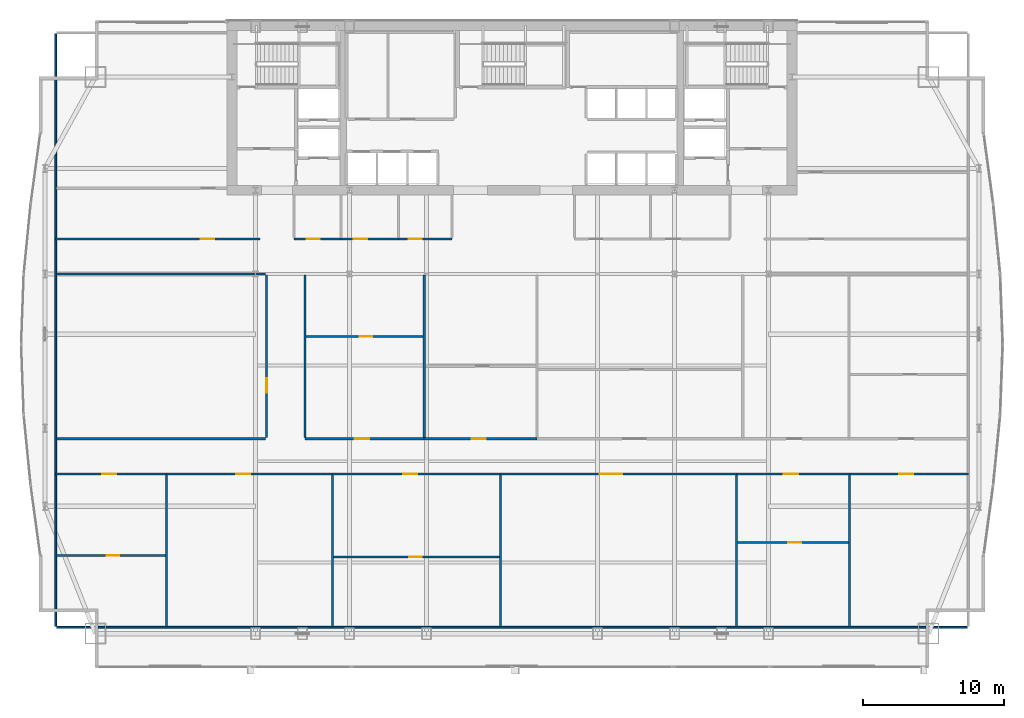
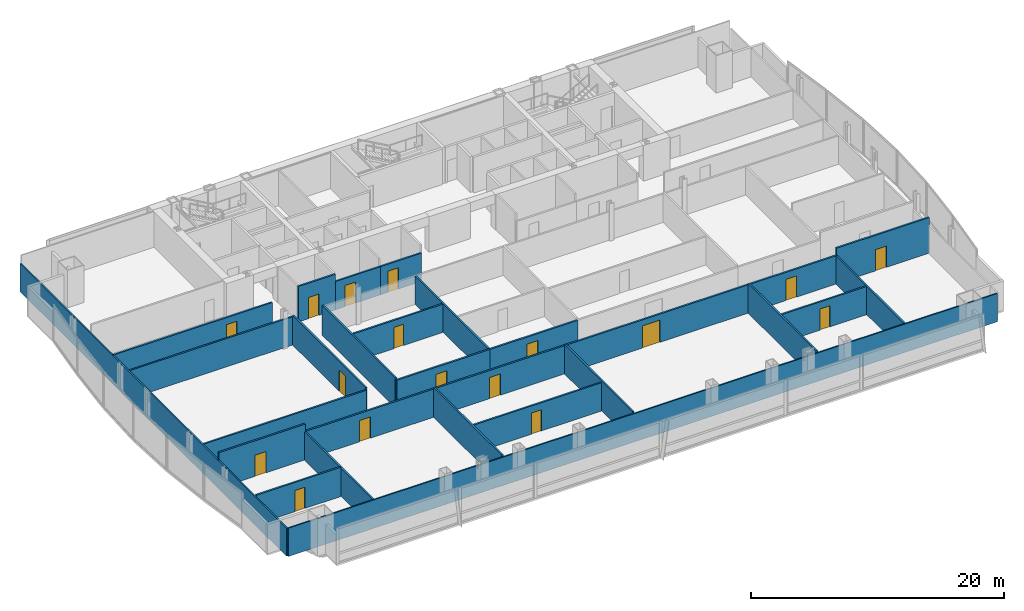
# One storey, part 26 of 32: 28 walls, 17 doors, 17 openings.
"""IFC4 building model written with IfcOpenShell, lengths in metres."""

from ifc_helpers import new_model, si_unit, direction, frame, frame_2d, origin, place, context, subcontext, project, spatial, rectangle, extrude, material, layer, layer_set, type_object, element, fill, save


model = new_model("IFC4")

# Units and contexts
model_context = context("Model", 3, precision=1e-05, world=origin(), true_north=direction((0.0, 1.0)))
body_context = subcontext(model_context, "Body", "Model", "MODEL_VIEW")
ifc_project = project(units=[si_unit("LENGTHUNIT", "METRE"), si_unit("AREAUNIT", "SQUARE_METRE"), si_unit("VOLUMEUNIT", "CUBIC_METRE"), si_unit("PLANEANGLEUNIT", "RADIAN"), si_unit("MASSUNIT", "GRAM", prefix="KILO")], contexts=[model_context])

# Site, building, storey
site_placement = place(None, origin())
site = spatial("IfcSite", under=ifc_project, at=site_placement, CompositionType="ELEMENT")
building_placement = place(site_placement, origin())
building = spatial("IfcBuilding", under=site, at=building_placement, Name="Khoronbel Lancet Exchange", CompositionType="ELEMENT")
storey_placement = place(building_placement, frame((0.0, 0.0, 125.39990234375)))
storey = spatial("IfcBuildingStorey", under=building, at=storey_placement, Name="L30", CompositionType="ELEMENT", Elevation=125.39990234375)

# Wall, opening, door
ifc_material_1 = material(Name="Acoustic Metal-Stud & Mineral-Wool Gypsum Partition 120 mm", Category="gypsum")
ifc_layer_1 = layer(ifc_material_1, 0.1201171875, Name="Acoustic Metal-Stud & Mineral-Wool Gypsum Partition 120 mm")
ifc_layer_set_1 = layer_set([ifc_layer_1], Name="Acoustic Metal-Stud & Mineral-Wool Gypsum Partition 120 mm")
wall_type_1 = type_object("IfcWallType", Name="WL-PRT120", PredefinedType="PARTITIONING", material=ifc_layer_set_1)
wall_1_placement = place(storey_placement, frame((4.094970703125, 15.7021484375, 0.0), z_axis=(0.0, 0.0, 1.0), x_axis=(1.0, 0.0, 0.0)))
wall_1 = element("IfcWall", 1, at=wall_1_placement, inside=storey, type_object=wall_type_1, Name="Level L30 interior partition PW-Z2S-H1", PredefinedType="PARTITIONING", context=body_context, shape_type="SweptSolid", body=[
    extrude(rectangle(XDim=7.739013671875, YDim=0.14990234375, at=frame_2d((3.86962890625, 0.0))), origin(), (0.0, 0.0, 1.0), 2.830078125),
])
opening_1_placement = place(wall_1_placement, frame((3.5478515625, 0.0, 0.0)))
opening_1 = element("IfcOpeningElement", 2, at=opening_1_placement, cuts=wall_1, Name="Opening D5", PredefinedType="OPENING", context=body_context, shape_type="SweptSolid", body=[
    extrude(rectangle(XDim=0.89990234375, YDim=2.050048828125, at=frame_2d((0.449951171875, 1.02490234375))), frame((0.0, 0.0849609375, 0.0), z_axis=(0.0, -1.0, 0.0), x_axis=(1.0, 0.0, 0.0)), (0.0, 0.0, 1.0), 0.169921875),
])
ifc_material_2 = material(Name="Acoustic Timber Pantry & Support Door", Category="wood")
door_type_1 = type_object("IfcDoorType", Name="DR-D5", OperationType="NOTDEFINED", PredefinedType="DOOR", material=ifc_material_2)
door_1_placement = place(opening_1_placement, origin())
door_1 = element("IfcDoor", 3, at=door_1_placement, inside=storey, type_object=door_type_1, Name="Z2S inner door 1 L30-1", OperationType="SINGLE_SWING_LEFT", OverallHeight=2.050048828125, OverallWidth=0.89990234375, PredefinedType="DOOR", context=body_context, shape_type="SweptSolid", body=[
    extrude(rectangle(XDim=0.89990234375, YDim=2.050048828125, at=frame_2d((0.449951171875, 1.02490234375))), frame((0.0, 0.02490234375, 0.0), z_axis=(0.0, -1.0, 0.0), x_axis=(1.0, 0.0, 0.0)), (0.0, 0.0, 1.0), 0.050048828125),
])
fill(opening_1, door_1)

wall_2_placement = place(storey_placement, frame((23.78076171875, 15.603271484375, 0.0), z_axis=(0.0, 0.0, 1.0), x_axis=(1.0, 0.0, 0.0)))
wall_2 = element("IfcWall", 4, at=wall_2_placement, inside=storey, type_object=wall_type_1, Name="Level L30 interior partition PW-Z2S-H3", PredefinedType="PARTITIONING", context=body_context, shape_type="SweptSolid", body=[
    extrude(rectangle(XDim=11.783935546875, YDim=0.14990234375, at=frame_2d((5.89208984375, 0.0))), origin(), (0.0, 0.0, 1.0), 2.72998046875),
])
opening_2_placement = place(wall_2_placement, frame((5.374755859375, 0.0, 0.0)))
opening_2 = element("IfcOpeningElement", 5, at=opening_2_placement, cuts=wall_2, Name="Opening D5", PredefinedType="OPENING", context=body_context, shape_type="SweptSolid", body=[
    extrude(rectangle(XDim=0.89990234375, YDim=2.050048828125, at=frame_2d((0.449951171875, 1.02490234375))), frame((0.0, 0.0849609375, 0.0), z_axis=(0.0, -1.0, 0.0), x_axis=(1.0, 0.0, 0.0)), (0.0, 0.0, 1.0), 0.169921875),
])
door_2_placement = place(opening_2_placement, origin())
door_2 = element("IfcDoor", 6, at=door_2_placement, inside=storey, type_object=door_type_1, Name="Z2S inner door 3 L30-1", OperationType="SINGLE_SWING_RIGHT", OverallHeight=2.050048828125, OverallWidth=0.89990234375, PredefinedType="DOOR", context=body_context, shape_type="SweptSolid", body=[
    extrude(rectangle(XDim=0.89990234375, YDim=2.050048828125, at=frame_2d((0.449951171875, 1.02490234375))), frame((0.0, 0.02490234375, 0.0), z_axis=(0.0, -1.0, 0.0), x_axis=(1.0, 0.0, 0.0)), (0.0, 0.0, 1.0), 0.050048828125),
])
fill(opening_2, door_2)

wall_3_placement = place(storey_placement, frame((52.48779296875, 16.61865234375, 0.0), z_axis=(0.0, 0.0, 1.0), x_axis=(1.0, 0.0, 0.0)))
wall_3 = element("IfcWall", 7, at=wall_3_placement, inside=storey, type_object=wall_type_1, Name="Level L30 interior partition PW-Z2S-H5", PredefinedType="PARTITIONING", context=body_context, shape_type="SweptSolid", body=[
    extrude(rectangle(XDim=7.855224609375, YDim=0.14990234375, at=frame_2d((3.927734375, 0.0))), origin(), (0.0, 0.0, 1.0), 2.72998046875),
])
opening_3_placement = place(wall_3_placement, frame((3.606689453125, 0.0, 0.0)))
opening_3 = element("IfcOpeningElement", 8, at=opening_3_placement, cuts=wall_3, Name="Opening D5", PredefinedType="OPENING", context=body_context, shape_type="SweptSolid", body=[
    extrude(rectangle(XDim=0.89990234375, YDim=2.050048828125, at=frame_2d((0.449951171875, 1.02490234375))), frame((0.0, 0.0849609375, 0.0), z_axis=(0.0, -1.0, 0.0), x_axis=(1.0, 0.0, 0.0)), (0.0, 0.0, 1.0), 0.169921875),
])
door_3_placement = place(opening_3_placement, origin())
door_3 = element("IfcDoor", 9, at=door_3_placement, inside=storey, type_object=door_type_1, Name="Z2S inner door 5 L30-1", OperationType="SINGLE_SWING_RIGHT", OverallHeight=2.050048828125, OverallWidth=0.89990234375, PredefinedType="DOOR", context=body_context, shape_type="SweptSolid", body=[
    extrude(rectangle(XDim=0.89990234375, YDim=2.050048828125, at=frame_2d((0.449951171875, 1.02490234375))), frame((0.0, 0.02490234375, 0.0), z_axis=(0.0, -1.0, 0.0), x_axis=(1.0, 0.0, 0.0)), (0.0, 0.0, 1.0), 0.050048828125),
])
fill(opening_3, door_3)

wall_4_placement = place(storey_placement, frame((21.81005859375, 31.25390625, 0.0), z_axis=(0.0, 0.0, 1.0), x_axis=(1.0, 0.0, 0.0)))
wall_4 = element("IfcWall", 10, at=wall_4_placement, inside=storey, type_object=wall_type_1, Name="Level L30 interior partition PW-Z2N-H1", PredefinedType="PARTITIONING", context=body_context, shape_type="SweptSolid", body=[
    extrude(rectangle(XDim=8.3251953125, YDim=0.14990234375, at=frame_2d((4.16259765625, 0.0))), origin(), (0.0, 0.0, 1.0), 2.72998046875),
])
opening_4_placement = place(wall_4_placement, frame((3.818359375, 0.0, 0.0)))
opening_4 = element("IfcOpeningElement", 11, at=opening_4_placement, cuts=wall_4, Name="Opening D5", PredefinedType="OPENING", context=body_context, shape_type="SweptSolid", body=[
    extrude(rectangle(XDim=0.89990234375, YDim=2.050048828125, at=frame_2d((0.449951171875, 1.02490234375))), frame((0.0, 0.0849609375, 0.0), z_axis=(0.0, -1.0, 0.0), x_axis=(1.0, 0.0, 0.0)), (0.0, 0.0, 1.0), 0.169921875),
])
door_4_placement = place(opening_4_placement, origin())
door_4 = element("IfcDoor", 12, at=door_4_placement, inside=storey, type_object=door_type_1, Name="Z2N inner door 1 L30-1", OperationType="SINGLE_SWING_RIGHT", OverallHeight=2.050048828125, OverallWidth=0.89990234375, PredefinedType="DOOR", context=body_context, shape_type="SweptSolid", body=[
    extrude(rectangle(XDim=0.89990234375, YDim=2.050048828125, at=frame_2d((0.449951171875, 1.02490234375))), frame((0.0, 0.02490234375, 0.0), z_axis=(0.0, -1.0, 0.0), x_axis=(1.0, 0.0, 0.0)), (0.0, 0.0, 1.0), 0.050048828125),
])
fill(opening_4, door_4)

# Walls
wall_5_placement = place(storey_placement, frame((4.030029296875, 10.6650390625, 0.0), z_axis=(0.0, 0.0, 1.0), x_axis=(0.0, 1.0, 0.0)))
element("IfcWall", 13, at=wall_5_placement, inside=storey, type_object=wall_type_1, Name="Level L30 interior partition PW-LIN-W", PredefinedType="PARTITIONING", context=body_context, shape_type="SweptSolid", body=[
    extrude(rectangle(XDim=42.10986328125, YDim=0.1201171875, at=frame_2d((21.054931640625, 0.0))), origin(), (0.0, 0.0, 1.0), 2.72998046875),
])
wall_6_placement = place(storey_placement, frame((4.094970703125, 10.60009765625, 0.0), z_axis=(0.0, 0.0, 1.0), x_axis=(1.0, 0.0, 0.0)))
element("IfcWall", 14, at=wall_6_placement, inside=storey, type_object=wall_type_1, Name="Level L30 interior partition PW-LIN-S", PredefinedType="PARTITIONING", context=body_context, shape_type="SweptSolid", body=[
    extrude(rectangle(XDim=64.7099609375, YDim=0.1201171875, at=frame_2d((32.35498046875, 0.0))), origin(), (0.0, 0.0, 1.0), 2.72998046875),
])

# Wall, opening, door
ifc_material_3 = material(Name="Fire-Rated Twin-Stud Acoustic Gypsum Partition 150 mm", Category="gypsum")
ifc_layer_2 = layer(ifc_material_3, 0.14990234375, Name="Fire-Rated Twin-Stud Acoustic Gypsum Partition 150 mm")
ifc_layer_set_2 = layer_set([ifc_layer_2], Name="Fire-Rated Twin-Stud Acoustic Gypsum Partition 150 mm")
wall_type_2 = type_object("IfcWallType", Name="WL-PRT150C", PredefinedType="PARTITIONING", material=ifc_layer_set_2)
wall_7_placement = place(storey_placement, frame((20.949951171875, 38.199951171875, 0.0), z_axis=(0.0, 0.0, 1.0), x_axis=(1.0, 0.0, 0.0)))
wall_7 = element("IfcWall", 15, at=wall_7_placement, inside=storey, type_object=wall_type_2, Name="Level L30 interior partition PW-WC-S1", PredefinedType="PARTITIONING", context=body_context, shape_type="SweptSolid", body=[
    extrude(rectangle(XDim=3.35009765625, YDim=0.14990234375, at=frame_2d((1.675048828125, 0.0))), origin(), (0.0, 0.0, 1.0), 3.440185546875),
])
opening_5_placement = place(wall_7_placement, frame((0.89990234375, 0.0, 0.0)))
opening_5 = element("IfcOpeningElement", 16, at=opening_5_placement, cuts=wall_7, Name="Opening D4", PredefinedType="OPENING", context=body_context, shape_type="SweptSolid", body=[
    extrude(rectangle(XDim=0.949951171875, YDim=2.050048828125, at=frame_2d((0.47509765625, 1.02490234375))), frame((0.0, 0.0849609375, 0.0), z_axis=(0.0, -1.0, 0.0), x_axis=(1.0, 0.0, 0.0)), (0.0, 0.0, 1.0), 0.169921875),
])
ifc_material_4 = material(Name="Moisture-Resistant HPL Washroom Door", Category="wood")
door_type_2 = type_object("IfcDoorType", Name="DR-D4", OperationType="NOTDEFINED", PredefinedType="DOOR", material=ifc_material_4)
door_5_placement = place(opening_5_placement, origin())
door_5 = element("IfcDoor", 17, at=door_5_placement, inside=storey, type_object=door_type_2, Name="Male washroom door L30-1", OperationType="SINGLE_SWING_LEFT", OverallHeight=2.050048828125, OverallWidth=0.949951171875, PredefinedType="DOOR", context=body_context, shape_type="SweptSolid", body=[
    extrude(rectangle(XDim=0.949951171875, YDim=2.050048828125, at=frame_2d((0.47509765625, 1.02490234375))), frame((0.0, 0.02490234375, 0.0), z_axis=(0.0, -1.0, 0.0), x_axis=(1.0, 0.0, 0.0)), (0.0, 0.0, 1.0), 0.050048828125),
])
fill(opening_5, door_5)

wall_8_placement = place(storey_placement, frame((24.300048828125, 38.199951171875, 0.0), z_axis=(0.0, 0.0, 1.0), x_axis=(1.0, 0.0, 0.0)))
wall_8 = element("IfcWall", 18, at=wall_8_placement, inside=storey, type_object=wall_type_2, Name="Level L30 interior partition PW-WC-S2", PredefinedType="PARTITIONING", context=body_context, shape_type="SweptSolid", body=[
    extrude(rectangle(XDim=4.099853515625, YDim=0.14990234375, at=frame_2d((2.0498046875, 0.0))), origin(), (0.0, 0.0, 1.0), 2.72998046875),
])
opening_6_placement = place(wall_8_placement, frame((0.89990234375, 0.0, 0.0)))
opening_6 = element("IfcOpeningElement", 19, at=opening_6_placement, cuts=wall_8, Name="Opening D4", PredefinedType="OPENING", context=body_context, shape_type="SweptSolid", body=[
    extrude(rectangle(XDim=0.949951171875, YDim=2.050048828125, at=frame_2d((0.47509765625, 1.02490234375))), frame((0.0, 0.0849609375, 0.0), z_axis=(0.0, -1.0, 0.0), x_axis=(1.0, 0.0, 0.0)), (0.0, 0.0, 1.0), 0.169921875),
])
door_6_placement = place(opening_6_placement, origin())
door_6 = element("IfcDoor", 20, at=door_6_placement, inside=storey, type_object=door_type_2, Name="Female washroom door L30-1", OperationType="SINGLE_SWING_RIGHT", OverallHeight=2.050048828125, OverallWidth=0.949951171875, PredefinedType="DOOR", context=body_context, shape_type="SweptSolid", body=[
    extrude(rectangle(XDim=0.949951171875, YDim=2.050048828125, at=frame_2d((0.47509765625, 1.02490234375))), frame((0.0, 0.02490234375, 0.0), z_axis=(0.0, -1.0, 0.0), x_axis=(1.0, 0.0, 0.0)), (0.0, 0.0, 1.0), 0.050048828125),
])
fill(opening_6, door_6)

wall_9_placement = place(storey_placement, frame((28.39990234375, 38.199951171875, 0.0), z_axis=(0.0, 0.0, 1.0), x_axis=(1.0, 0.0, 0.0)))
wall_9 = element("IfcWall", 21, at=wall_9_placement, inside=storey, type_object=wall_type_2, Name="Level L30 interior partition PW-WC-S3", PredefinedType="PARTITIONING", context=body_context, shape_type="SweptSolid", body=[
    extrude(rectangle(XDim=3.780029296875, YDim=0.14990234375, at=frame_2d((1.89013671875, 0.0))), origin(), (0.0, 0.0, 1.0), 2.72998046875),
])
opening_7_placement = place(wall_9_placement, frame((0.699951171875, 0.0, 0.0)))
opening_7 = element("IfcOpeningElement", 22, at=opening_7_placement, cuts=wall_9, Name="Opening D4", PredefinedType="OPENING", context=body_context, shape_type="SweptSolid", body=[
    extrude(rectangle(XDim=0.949951171875, YDim=2.050048828125, at=frame_2d((0.47509765625, 1.02490234375))), frame((0.0, 0.0849609375, 0.0), z_axis=(0.0, -1.0, 0.0), x_axis=(1.0, 0.0, 0.0)), (0.0, 0.0, 1.0), 0.169921875),
])
door_7_placement = place(opening_7_placement, origin())
door_7 = element("IfcDoor", 23, at=door_7_placement, inside=storey, type_object=door_type_2, Name="Accessible WC door L30-1", OperationType="SINGLE_SWING_LEFT", OverallHeight=2.050048828125, OverallWidth=0.949951171875, PredefinedType="DOOR", context=body_context, shape_type="SweptSolid", body=[
    extrude(rectangle(XDim=0.949951171875, YDim=2.050048828125, at=frame_2d((0.47509765625, 1.02490234375))), frame((0.0, 0.02490234375, 0.0), z_axis=(0.0, -1.0, 0.0), x_axis=(1.0, 0.0, 0.0)), (0.0, 0.0, 1.0), 0.050048828125),
])
fill(opening_7, door_7)

wall_10_placement = place(storey_placement, frame((4.030029296875, 38.199951171875, 0.0), z_axis=(0.0, 0.0, 1.0), x_axis=(1.0, 0.0, 0.0)))
wall_10 = element("IfcWall", 24, at=wall_10_placement, inside=storey, type_object=wall_type_2, Name="Level L30 interior partition PW-NW-S", PredefinedType="PARTITIONING", context=body_context, shape_type="SweptSolid", body=[
    extrude(rectangle(XDim=14.52001953125, YDim=0.14990234375, at=frame_2d((7.260009765625, 0.0))), origin(), (0.0, 0.0, 1.0), 2.72998046875),
])
opening_8_placement = place(wall_10_placement, frame((10.320068359375, 0.0, 0.0)))
opening_8 = element("IfcOpeningElement", 25, at=opening_8_placement, cuts=wall_10, Name="Opening D1", PredefinedType="OPENING", context=body_context, shape_type="SweptSolid", body=[
    extrude(rectangle(XDim=0.949951171875, YDim=2.050048828125, at=frame_2d((0.47509765625, 1.02490234375))), frame((0.0, 0.0849609375, 0.0), z_axis=(0.0, -1.0, 0.0), x_axis=(1.0, 0.0, 0.0)), (0.0, 0.0, 1.0), 0.169921875),
])
ifc_material_5 = material(Name="Acoustic Veneered Timber & Bronze Frame Door", Category="wood")
door_type_3 = type_object("IfcDoorType", Name="DR-D1", OperationType="NOTDEFINED", PredefinedType="DOOR", material=ifc_material_5)
door_8_placement = place(opening_8_placement, origin())
door_8 = element("IfcDoor", 26, at=door_8_placement, inside=storey, type_object=door_type_3, Name="NW corner room door L30-1", OperationType="SINGLE_SWING_RIGHT", OverallHeight=2.050048828125, OverallWidth=0.949951171875, PredefinedType="DOOR", context=body_context, shape_type="SweptSolid", body=[
    extrude(rectangle(XDim=0.949951171875, YDim=2.050048828125, at=frame_2d((0.47509765625, 1.02490234375))), frame((0.0, 0.02490234375, 0.0), z_axis=(0.0, -1.0, 0.0), x_axis=(1.0, 0.0, 0.0)), (0.0, 0.0, 1.0), 0.050048828125),
])
fill(opening_8, door_8)

# Walls
wall_11_placement = place(storey_placement, frame((11.9140625, 10.6650390625, 0.0), z_axis=(0.0, 0.0, 1.0), x_axis=(0.0, 1.0, 0.0)))
element("IfcWall", 27, at=wall_11_placement, inside=storey, type_object=wall_type_2, Name="Level L30 interior partition PW-Z2S-V1", PredefinedType="PARTITIONING", context=body_context, shape_type="SweptSolid", body=[
    extrude(rectangle(XDim=10.75, YDim=0.14990234375, at=frame_2d((5.375, 0.0))), origin(), (0.0, 0.0, 1.0), 2.72998046875),
])
for number, where, z_axis, x_axis, name in (
    (28, (23.70068359375, 10.6650390625, 0.0), (0.0, 0.0, 1.0), (0.0, 1.0, 0.0), "Level L30 interior partition PW-Z2S-V2"),
    (29, (35.64453125, 10.6650390625, 0.0), (0.0, 0.0, 1.0), (0.0, 1.0, 0.0), "Level L30 interior partition PW-Z2S-V3"),
    (30, (52.407958984375, 10.6650390625, 0.0), (0.0, 0.0, 1.0), (0.0, 1.0, 0.0), "Level L30 interior partition PW-Z2S-V4"),
):
    element("IfcWall", number, at=place(storey_placement, frame(where, z_axis=z_axis, x_axis=x_axis)), inside=storey, type_object=wall_type_2, Name=name, PredefinedType="PARTITIONING", context=body_context, shape_type="SweptSolid", body=[
        extrude(rectangle(XDim=10.75, YDim=0.14990234375, at=frame_2d((5.375, 0.0))), origin(), (0.0, 0.0, 1.0), 2.880126953125),
    ])
wall_12_placement = place(storey_placement, frame((60.4228515625, 10.6650390625, 0.0), z_axis=(0.0, 0.0, 1.0), x_axis=(0.0, 1.0, 0.0)))
element("IfcWall", 31, at=wall_12_placement, inside=storey, type_object=wall_type_2, Name="Level L30 interior partition PW-Z2S-V5", PredefinedType="PARTITIONING", context=body_context, shape_type="SweptSolid", body=[
    extrude(rectangle(XDim=10.75, YDim=0.14990234375, at=frame_2d((5.375, 0.0))), origin(), (0.0, 0.0, 1.0), 2.72998046875),
])

# Wall, opening, door
wall_13_placement = place(storey_placement, frame((19.02001953125, 24.080078125, 0.0), z_axis=(0.0, 0.0, 1.0), x_axis=(0.0, 1.0, 0.0)))
wall_13 = element("IfcWall", 32, at=wall_13_placement, inside=storey, type_object=wall_type_2, Name="Level L30 interior partition PW-Z2-WLK", PredefinedType="PARTITIONING", context=body_context, shape_type="SweptSolid", body=[
    extrude(rectangle(XDim=11.5400390625, YDim=0.14990234375, at=frame_2d((5.77001953125, 0.0))), origin(), (0.0, 0.0, 1.0), 2.880126953125),
])
opening_9_placement = place(wall_13_placement, frame((3.199951171875, 0.0, 0.0)))
opening_9 = element("IfcOpeningElement", 33, at=opening_9_placement, cuts=wall_13, Name="Opening D2", PredefinedType="OPENING", context=body_context, shape_type="SweptSolid", body=[
    extrude(rectangle(XDim=1.0, YDim=2.050048828125, at=frame_2d((0.5, 1.02490234375))), frame((0.0, 0.0849609375, 0.0), z_axis=(0.0, -1.0, 0.0), x_axis=(1.0, 0.0, 0.0)), (0.0, 0.0, 1.0), 0.169921875),
])
door_type_4 = type_object("IfcDoorType", Name="DR-D2", OperationType="NOTDEFINED", PredefinedType="DOOR", material=ifc_material_5)
door_9_placement = place(opening_9_placement, origin())
door_9 = element("IfcDoor", 34, at=door_9_placement, inside=storey, type_object=door_type_4, Name="West mid-band room door L30-1", OperationType="SINGLE_SWING_RIGHT", OverallHeight=2.050048828125, OverallWidth=1.0, PredefinedType="DOOR", context=body_context, shape_type="SweptSolid", body=[
    extrude(rectangle(XDim=1.0, YDim=2.050048828125, at=frame_2d((0.5, 1.02490234375))), frame((0.0, 0.02490234375, 0.0), z_axis=(0.0, -1.0, 0.0), x_axis=(1.0, 0.0, 0.0)), (0.0, 0.0, 1.0), 0.050048828125),
])
fill(opening_9, door_9)

# Walls
for number, where, z_axis, x_axis, name in (
    (35, (4.094970703125, 24.0, 0.0), (0.0, 0.0, 1.0), (1.0, 0.0, 0.0), "Level L30 interior partition PW-Z2-WS"),
    (36, (4.094970703125, 35.699951171875, 0.0), (0.0, 0.0, 1.0), (1.0, 0.0, 0.0), "Level L30 interior partition PW-Z2-WN"),
):
    element("IfcWall", number, at=place(storey_placement, frame(where, z_axis=z_axis, x_axis=x_axis)), inside=storey, type_object=wall_type_2, Name=name, PredefinedType="PARTITIONING", context=body_context, shape_type="SweptSolid", body=[
        extrude(rectangle(XDim=14.844970703125, YDim=0.14990234375, at=frame_2d((7.42236328125, 0.0))), origin(), (0.0, 0.0, 1.0), 2.72998046875),
    ])
wall_14_placement = place(storey_placement, frame((21.72998046875, 24.0849609375, 0.0), z_axis=(0.0, 0.0, 1.0), x_axis=(0.0, 1.0, 0.0)))
element("IfcWall", 37, at=wall_14_placement, inside=storey, type_object=wall_type_2, Name="Level L30 interior partition PW-Z2-ELK", PredefinedType="PARTITIONING", context=body_context, shape_type="SweptSolid", body=[
    extrude(rectangle(XDim=11.53515625, YDim=0.14990234375, at=frame_2d((5.767578125, 0.0))), origin(), (0.0, 0.0, 1.0), 2.880126953125),
])
wall_15_placement = place(storey_placement, frame((30.215087890625, 24.0849609375, 0.0), z_axis=(0.0, 0.0, 1.0), x_axis=(0.0, 1.0, 0.0)))
element("IfcWall", 38, at=wall_15_placement, inside=storey, type_object=wall_type_2, Name="Level L30 interior partition PW-Z2N-V1", PredefinedType="PARTITIONING", context=body_context, shape_type="SweptSolid", body=[
    extrude(rectangle(XDim=11.53515625, YDim=0.14990234375, at=frame_2d((5.767578125, 0.0))), origin(), (0.0, 0.0, 1.0), 2.72998046875),
])

# Wall, opening, door
ifc_material_6 = material(Name="Fire-Rated Twin-Stud Acoustic Gypsum Partition 160 mm", Category="gypsum")
ifc_layer_3 = layer(ifc_material_6, 0.159912109375, Name="Fire-Rated Twin-Stud Acoustic Gypsum Partition 160 mm")
ifc_layer_set_3 = layer_set([ifc_layer_3], Name="Fire-Rated Twin-Stud Acoustic Gypsum Partition 160 mm")
wall_type_3 = type_object("IfcWallType", Name="WL-PRT160C", PredefinedType="PARTITIONING", material=ifc_layer_set_3)
wall_16_placement = place(storey_placement, frame((4.030029296875, 21.5, 0.0), z_axis=(0.0, 0.0, 1.0), x_axis=(1.0, 0.0, 0.0)))
wall_16 = element("IfcWall", 39, at=wall_16_placement, inside=storey, type_object=wall_type_3, Name="Level L30 interior partition PW-Z2S-COR1", PredefinedType="PARTITIONING", context=body_context, shape_type="SweptSolid", body=[
    extrude(rectangle(XDim=7.884033203125, YDim=0.159912109375, at=frame_2d((3.94189453125, 0.0))), origin(), (0.0, 0.0, 1.0), 3.440185546875),
])
opening_10_placement = place(wall_16_placement, frame((3.311279296875, 0.0, 0.0)))
opening_10 = element("IfcOpeningElement", 40, at=opening_10_placement, cuts=wall_16, Name="Opening D2", PredefinedType="OPENING", context=body_context, shape_type="SweptSolid", body=[
    extrude(rectangle(XDim=1.0, YDim=2.050048828125, at=frame_2d((0.5, 1.02490234375))), frame((0.0, 0.08984375, 0.0), z_axis=(0.0, -1.0, 0.0), x_axis=(1.0, 0.0, 0.0)), (0.0, 0.0, 1.0), 0.179931640625),
])
door_10_placement = place(opening_10_placement, origin())
door_10 = element("IfcDoor", 41, at=door_10_placement, inside=storey, type_object=door_type_4, Name="Z2S bay 1 door L30-1", OperationType="SINGLE_SWING_RIGHT", OverallHeight=2.050048828125, OverallWidth=1.0, PredefinedType="DOOR", context=body_context, shape_type="SweptSolid", body=[
    extrude(rectangle(XDim=1.0, YDim=2.050048828125, at=frame_2d((0.5, 1.02490234375))), frame((0.0, 0.02490234375, 0.0), z_axis=(0.0, -1.0, 0.0), x_axis=(1.0, 0.0, 0.0)), (0.0, 0.0, 1.0), 0.050048828125),
])
fill(opening_10, door_10)

wall_17_placement = place(storey_placement, frame((11.9140625, 21.5, 0.0), z_axis=(0.0, 0.0, 1.0), x_axis=(1.0, 0.0, 0.0)))
wall_17 = element("IfcWall", 42, at=wall_17_placement, inside=storey, type_object=wall_type_3, Name="Level L30 interior partition PW-Z2S-COR2", PredefinedType="PARTITIONING", context=body_context, shape_type="SweptSolid", body=[
    extrude(rectangle(XDim=11.78662109375, YDim=0.159912109375, at=frame_2d((5.893310546875, 0.0))), origin(), (0.0, 0.0, 1.0), 2.72998046875),
])
opening_11_placement = place(wall_17_placement, frame((4.950439453125, 0.0, 0.0)))
opening_11 = element("IfcOpeningElement", 43, at=opening_11_placement, cuts=wall_17, Name="Opening D2", PredefinedType="OPENING", context=body_context, shape_type="SweptSolid", body=[
    extrude(rectangle(XDim=1.0, YDim=2.050048828125, at=frame_2d((0.5, 1.02490234375))), frame((0.0, 0.08984375, 0.0), z_axis=(0.0, -1.0, 0.0), x_axis=(1.0, 0.0, 0.0)), (0.0, 0.0, 1.0), 0.179931640625),
])
door_11_placement = place(opening_11_placement, origin())
door_11 = element("IfcDoor", 44, at=door_11_placement, inside=storey, type_object=door_type_4, Name="Z2S bay 2 door L30-1", OperationType="SINGLE_SWING_RIGHT", OverallHeight=2.050048828125, OverallWidth=1.0, PredefinedType="DOOR", context=body_context, shape_type="SweptSolid", body=[
    extrude(rectangle(XDim=1.0, YDim=2.050048828125, at=frame_2d((0.5, 1.02490234375))), frame((0.0, 0.02490234375, 0.0), z_axis=(0.0, -1.0, 0.0), x_axis=(1.0, 0.0, 0.0)), (0.0, 0.0, 1.0), 0.050048828125),
])
fill(opening_11, door_11)

wall_18_placement = place(storey_placement, frame((23.70068359375, 21.5, 0.0), z_axis=(0.0, 0.0, 1.0), x_axis=(1.0, 0.0, 0.0)))
wall_18 = element("IfcWall", 45, at=wall_18_placement, inside=storey, type_object=wall_type_3, Name="Level L30 interior partition PW-Z2S-COR3", PredefinedType="PARTITIONING", context=body_context, shape_type="SweptSolid", body=[
    extrude(rectangle(XDim=11.94384765625, YDim=0.159912109375, at=frame_2d((5.971923828125, 0.0))), origin(), (0.0, 0.0, 1.0), 2.72998046875),
])
opening_12_placement = place(wall_18_placement, frame((5.016357421875, 0.0, 0.0)))
opening_12 = element("IfcOpeningElement", 46, at=opening_12_placement, cuts=wall_18, Name="Opening D2", PredefinedType="OPENING", context=body_context, shape_type="SweptSolid", body=[
    extrude(rectangle(XDim=1.0, YDim=2.050048828125, at=frame_2d((0.5, 1.02490234375))), frame((0.0, 0.08984375, 0.0), z_axis=(0.0, -1.0, 0.0), x_axis=(1.0, 0.0, 0.0)), (0.0, 0.0, 1.0), 0.179931640625),
])
door_12_placement = place(opening_12_placement, origin())
door_12 = element("IfcDoor", 47, at=door_12_placement, inside=storey, type_object=door_type_4, Name="Z2S bay 3 door L30-1", OperationType="SINGLE_SWING_LEFT", OverallHeight=2.050048828125, OverallWidth=1.0, PredefinedType="DOOR", context=body_context, shape_type="SweptSolid", body=[
    extrude(rectangle(XDim=1.0, YDim=2.050048828125, at=frame_2d((0.5, 1.02490234375))), frame((0.0, 0.02490234375, 0.0), z_axis=(0.0, -1.0, 0.0), x_axis=(1.0, 0.0, 0.0)), (0.0, 0.0, 1.0), 0.050048828125),
])
fill(opening_12, door_12)

wall_19_placement = place(storey_placement, frame((35.64453125, 21.5, 0.0), z_axis=(0.0, 0.0, 1.0), x_axis=(1.0, 0.0, 0.0)))
wall_19 = element("IfcWall", 48, at=wall_19_placement, inside=storey, type_object=wall_type_3, Name="Level L30 interior partition PW-Z2S-COR4", PredefinedType="PARTITIONING", context=body_context, shape_type="SweptSolid", body=[
    extrude(rectangle(XDim=16.763427734375, YDim=0.159912109375, at=frame_2d((8.3818359375, 0.0))), origin(), (0.0, 0.0, 1.0), 2.72998046875),
])
opening_13_placement = place(wall_19_placement, frame((7.04052734375, 0.0, 0.0)))
opening_13 = element("IfcOpeningElement", 49, at=opening_13_placement, cuts=wall_19, Name="Opening D3", PredefinedType="OPENING", context=body_context, shape_type="SweptSolid", body=[
    extrude(rectangle(XDim=1.60009765625, YDim=2.14990234375, at=frame_2d((0.800048828125, 1.074951171875))), frame((0.0, 0.08984375, 0.0), z_axis=(0.0, -1.0, 0.0), x_axis=(1.0, 0.0, 0.0)), (0.0, 0.0, 1.0), 0.179931640625),
])
ifc_material_7 = material(Name="Glazed Bronze-Framed Double Suite Door", Category="aluminium")
door_type_5 = type_object("IfcDoorType", Name="DR-D3", OperationType="NOTDEFINED", PredefinedType="DOOR", material=ifc_material_7)
door_13_placement = place(opening_13_placement, origin())
door_13 = element("IfcDoor", 50, at=door_13_placement, inside=storey, type_object=door_type_5, Name="Z2S bay 4 door L30-1", OperationType="DOUBLE_DOOR_SINGLE_SWING", OverallHeight=2.14990234375, OverallWidth=1.60009765625, PredefinedType="DOOR", context=body_context, shape_type="SweptSolid", body=[
    extrude(rectangle(XDim=1.60009765625, YDim=2.14990234375, at=frame_2d((0.800048828125, 1.074951171875))), frame((0.0, 0.02490234375, 0.0), z_axis=(0.0, -1.0, 0.0), x_axis=(1.0, 0.0, 0.0)), (0.0, 0.0, 1.0), 0.050048828125),
])
fill(opening_13, door_13)

wall_20_placement = place(storey_placement, frame((52.407958984375, 21.5, 0.0), z_axis=(0.0, 0.0, 1.0), x_axis=(1.0, 0.0, 0.0)))
wall_20 = element("IfcWall", 51, at=wall_20_placement, inside=storey, type_object=wall_type_3, Name="Level L30 interior partition PW-Z2S-COR5", PredefinedType="PARTITIONING", context=body_context, shape_type="SweptSolid", body=[
    extrude(rectangle(XDim=8.014892578125, YDim=0.159912109375, at=frame_2d((4.00732421875, 0.0))), origin(), (0.0, 0.0, 1.0), 2.72998046875),
])
opening_14_placement = place(wall_20_placement, frame((3.3662109375, 0.0, 0.0)))
opening_14 = element("IfcOpeningElement", 52, at=opening_14_placement, cuts=wall_20, Name="Opening D2", PredefinedType="OPENING", context=body_context, shape_type="SweptSolid", body=[
    extrude(rectangle(XDim=1.0, YDim=2.050048828125, at=frame_2d((0.5, 1.02490234375))), frame((0.0, 0.08984375, 0.0), z_axis=(0.0, -1.0, 0.0), x_axis=(1.0, 0.0, 0.0)), (0.0, 0.0, 1.0), 0.179931640625),
])
door_14_placement = place(opening_14_placement, origin())
door_14 = element("IfcDoor", 53, at=door_14_placement, inside=storey, type_object=door_type_4, Name="Z2S bay 5 door L30-1", OperationType="SINGLE_SWING_LEFT", OverallHeight=2.050048828125, OverallWidth=1.0, PredefinedType="DOOR", context=body_context, shape_type="SweptSolid", body=[
    extrude(rectangle(XDim=1.0, YDim=2.050048828125, at=frame_2d((0.5, 1.02490234375))), frame((0.0, 0.02490234375, 0.0), z_axis=(0.0, -1.0, 0.0), x_axis=(1.0, 0.0, 0.0)), (0.0, 0.0, 1.0), 0.050048828125),
])
fill(opening_14, door_14)

wall_21_placement = place(storey_placement, frame((60.4228515625, 21.5, 0.0), z_axis=(0.0, 0.0, 1.0), x_axis=(1.0, 0.0, 0.0)))
wall_21 = element("IfcWall", 54, at=wall_21_placement, inside=storey, type_object=wall_type_3, Name="Level L30 interior partition PW-Z2S-COR6", PredefinedType="PARTITIONING", context=body_context, shape_type="SweptSolid", body=[
    extrude(rectangle(XDim=8.447265625, YDim=0.159912109375, at=frame_2d((4.2236328125, 0.0))), origin(), (0.0, 0.0, 1.0), 3.440185546875),
])
opening_15_placement = place(wall_21_placement, frame((3.5478515625, 0.0, 0.0)))
opening_15 = element("IfcOpeningElement", 55, at=opening_15_placement, cuts=wall_21, Name="Opening D2", PredefinedType="OPENING", context=body_context, shape_type="SweptSolid", body=[
    extrude(rectangle(XDim=1.0, YDim=2.050048828125, at=frame_2d((0.5, 1.02490234375))), frame((0.0, 0.08984375, 0.0), z_axis=(0.0, -1.0, 0.0), x_axis=(1.0, 0.0, 0.0)), (0.0, 0.0, 1.0), 0.179931640625),
])
door_15_placement = place(opening_15_placement, origin())
door_15 = element("IfcDoor", 56, at=door_15_placement, inside=storey, type_object=door_type_4, Name="Z2S bay 6 door L30-1", OperationType="SINGLE_SWING_LEFT", OverallHeight=2.050048828125, OverallWidth=1.0, PredefinedType="DOOR", context=body_context, shape_type="SweptSolid", body=[
    extrude(rectangle(XDim=1.0, YDim=2.050048828125, at=frame_2d((0.5, 1.02490234375))), frame((0.0, 0.02490234375, 0.0), z_axis=(0.0, -1.0, 0.0), x_axis=(1.0, 0.0, 0.0)), (0.0, 0.0, 1.0), 0.050048828125),
])
fill(opening_15, door_15)

wall_22_placement = place(storey_placement, frame((21.72998046875, 24.0, 0.0), z_axis=(0.0, 0.0, 1.0), x_axis=(1.0, 0.0, 0.0)))
wall_22 = element("IfcWall", 57, at=wall_22_placement, inside=storey, type_object=wall_type_3, Name="Level L30 interior partition PW-Z2N-COR1", PredefinedType="PARTITIONING", context=body_context, shape_type="SweptSolid", body=[
    extrude(rectangle(XDim=8.485107421875, YDim=0.159912109375, at=frame_2d((4.24267578125, 0.0))), origin(), (0.0, 0.0, 1.0), 2.72998046875),
])
opening_16_placement = place(wall_22_placement, frame((3.563720703125, 0.0, 0.0)))
opening_16 = element("IfcOpeningElement", 58, at=opening_16_placement, cuts=wall_22, Name="Opening D2", PredefinedType="OPENING", context=body_context, shape_type="SweptSolid", body=[
    extrude(rectangle(XDim=1.0, YDim=2.050048828125, at=frame_2d((0.5, 1.02490234375))), frame((0.0, 0.08984375, 0.0), z_axis=(0.0, -1.0, 0.0), x_axis=(1.0, 0.0, 0.0)), (0.0, 0.0, 1.0), 0.179931640625),
])
door_16_placement = place(opening_16_placement, origin())
door_16 = element("IfcDoor", 59, at=door_16_placement, inside=storey, type_object=door_type_4, Name="Z2N bay 1 door L30-1", OperationType="SINGLE_SWING_LEFT", OverallHeight=2.050048828125, OverallWidth=1.0, PredefinedType="DOOR", context=body_context, shape_type="SweptSolid", body=[
    extrude(rectangle(XDim=1.0, YDim=2.050048828125, at=frame_2d((0.5, 1.02490234375))), frame((0.0, 0.02490234375, 0.0), z_axis=(0.0, -1.0, 0.0), x_axis=(1.0, 0.0, 0.0)), (0.0, 0.0, 1.0), 0.050048828125),
])
fill(opening_16, door_16)

wall_23_placement = place(storey_placement, frame((30.215087890625, 24.0, 0.0), z_axis=(0.0, 0.0, 1.0), x_axis=(1.0, 0.0, 0.0)))
wall_23 = element("IfcWall", 60, at=wall_23_placement, inside=storey, type_object=wall_type_3, Name="Level L30 interior partition PW-Z2N-COR2", PredefinedType="PARTITIONING", context=body_context, shape_type="SweptSolid", body=[
    extrude(rectangle(XDim=8.013916015625, YDim=0.159912109375, at=frame_2d((4.0068359375, 0.0))), origin(), (0.0, 0.0, 1.0), 2.72998046875),
])
opening_17_placement = place(wall_23_placement, frame((3.36572265625, 0.0, 0.0)))
opening_17 = element("IfcOpeningElement", 61, at=opening_17_placement, cuts=wall_23, Name="Opening D2", PredefinedType="OPENING", context=body_context, shape_type="SweptSolid", body=[
    extrude(rectangle(XDim=1.0, YDim=2.050048828125, at=frame_2d((0.5, 1.02490234375))), frame((0.0, 0.08984375, 0.0), z_axis=(0.0, -1.0, 0.0), x_axis=(1.0, 0.0, 0.0)), (0.0, 0.0, 1.0), 0.179931640625),
])
door_17_placement = place(opening_17_placement, origin())
door_17 = element("IfcDoor", 62, at=door_17_placement, inside=storey, type_object=door_type_4, Name="Z2N bay 2 door L30-1", OperationType="SINGLE_SWING_LEFT", OverallHeight=2.050048828125, OverallWidth=1.0, PredefinedType="DOOR", context=body_context, shape_type="SweptSolid", body=[
    extrude(rectangle(XDim=1.0, YDim=2.050048828125, at=frame_2d((0.5, 1.02490234375))), frame((0.0, 0.02490234375, 0.0), z_axis=(0.0, -1.0, 0.0), x_axis=(1.0, 0.0, 0.0)), (0.0, 0.0, 1.0), 0.050048828125),
])
fill(opening_17, door_17)

save(model, "model.ifc")
